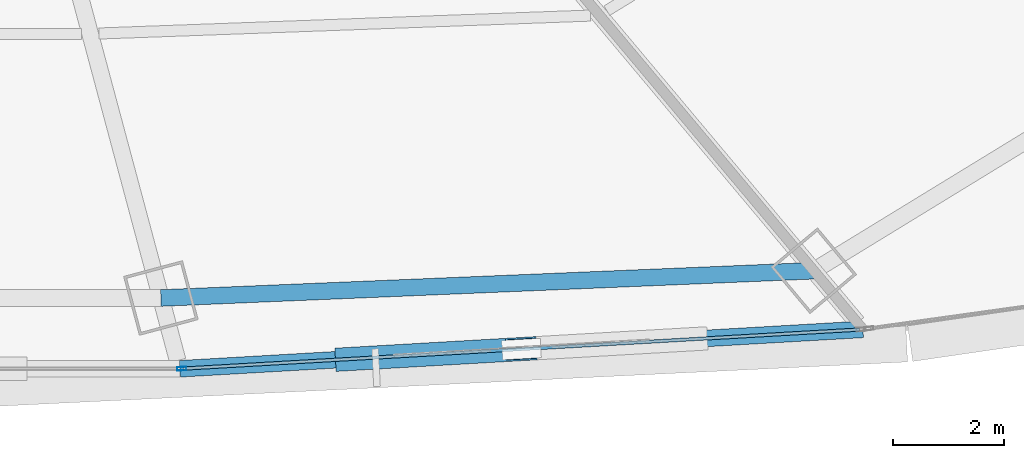
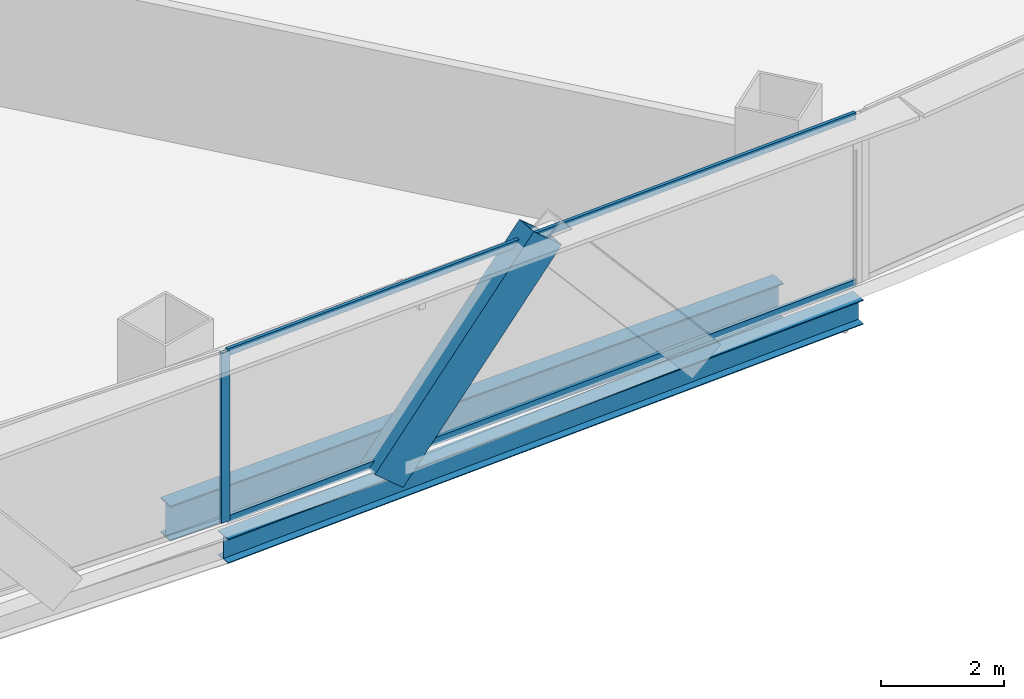
# One storey, part 10 of 37: 4 members, 2 beams, 1 element without a shape of its own.
"""IFC4 building model written with IfcOpenShell, lengths in metres."""

import ifcopenshell
import ifcopenshell.guid

model = None  # the IFC model being written
_history = None  # IfcOwnerHistory: only IFC2X3 demands one
_inside = {}  # id of a spatial element -> (the spatial element, [elements in it])
_under = {}  # id of a project, library or spatial element -> (it, [spatial elements below it])
_declared = {}  # id of a project -> (the project, [libraries it declares])
_typed = {}  # id of a type object -> (the type object, [elements of that type])
_made_of = {}  # id of a material, layer set ... -> (it, [elements and type objects made of it])


def new_model(schema):
    """Start an empty IFC model of exactly this schema.

    Asked for "IFC4X3", IfcOpenShell would pick the latest addendum, in which some entities
    have other attributes; the version numbers below select the first issue.
    IFC2X3 requires an IfcOwnerHistory on every rooted entity: one is made here for all.
    """
    global model, _history
    if schema == "IFC4X3":
        model = ifcopenshell.file(schema_version=(4, 3, 0, 0))
    else:
        model = ifcopenshell.file(schema=schema)
    _inside.clear()
    _under.clear()
    _declared.clear()
    _typed.clear()
    _made_of.clear()
    _history = None
    if model.schema == "IFC2X3":
        org = make("IfcOrganization", Name="unknown")
        user = make(
            "IfcPersonAndOrganization",
            ThePerson=make("IfcPerson", FamilyName="unknown"),
            TheOrganization=org,
        )
        app = make(
            "IfcApplication",
            ApplicationDeveloper=org,
            Version="unknown",
            ApplicationFullName="unknown",
            ApplicationIdentifier="unknown",
        )
        _history = make(
            "IfcOwnerHistory",
            OwningUser=user,
            OwningApplication=app,
            ChangeAction="ADDED",
            CreationDate=0,
        )
    return model


def make(cls, **values):
    """One entity of the class cls with the attributes given. An attribute that is None is left unset."""
    return model.create_entity(
        cls, **{name: value for name, value in values.items() if value is not None}
    )


def rooted(cls, **values):
    """An entity with a GlobalId (a new one), such as an element, a storey or a relation."""
    return make(cls, GlobalId=ifcopenshell.guid.new(), OwnerHistory=_history, **values)


def si_unit(unit_type, name, prefix=None):
    """IfcSIUnit, for example si_unit("LENGTHUNIT", "METRE", prefix="MILLI")."""
    return make("IfcSIUnit", UnitType=unit_type, Prefix=prefix, Name=name)


def assignment(units):
    """IfcUnitAssignment: the units of a project."""
    return None if units is None else make("IfcUnitAssignment", Units=units)


def point(xyz):
    """IfcCartesianPoint."""
    return None if xyz is None else make("IfcCartesianPoint", Coordinates=xyz)


def direction(xyz):
    """IfcDirection."""
    return None if xyz is None else make("IfcDirection", DirectionRatios=xyz)


def frame(location, z_axis=None, x_axis=None):
    """IfcAxis2Placement3D, a coordinate frame: its origin and axes. An axis left out is left unset."""
    return make(
        "IfcAxis2Placement3D",
        Location=point(location),
        Axis=direction(z_axis),
        RefDirection=direction(x_axis),
    )


def frame_2d(location, x_axis=None):
    """IfcAxis2Placement2D, a coordinate frame in the plane: its origin and x axis."""
    return make(
        "IfcAxis2Placement2D", Location=point(location), RefDirection=direction(x_axis)
    )


def origin():
    """The frame at (0, 0, 0) with its axes left unset."""
    return frame((0.0, 0.0, 0.0))


def origin_2d():
    """The frame at (0, 0) in the plane with its x axis left unset."""
    return frame_2d((0.0, 0.0))


def place(relative_to, where):
    """IfcLocalPlacement: puts the frame where relative to a parent placement (None: the world)."""
    return make(
        "IfcLocalPlacement", PlacementRelTo=relative_to, RelativePlacement=where
    )


def context(
    kind, dimensions, precision=None, world=None, true_north=None, identifier=None
):
    """IfcGeometricRepresentationContext, for example the 3D "Model" context."""
    return make(
        "IfcGeometricRepresentationContext",
        ContextIdentifier=identifier,
        ContextType=kind,
        CoordinateSpaceDimension=dimensions,
        Precision=precision,
        WorldCoordinateSystem=world,
        TrueNorth=true_north,
    )


def subcontext(parent, identifier, kind, view, scale=None):
    """IfcGeometricRepresentationSubContext, for example "Body" below "Model"."""
    return make(
        "IfcGeometricRepresentationSubContext",
        ContextIdentifier=identifier,
        ContextType=kind,
        ParentContext=parent,
        TargetScale=scale,
        TargetView=view,
    )


def project(units=None, contexts=None):
    """IfcProject with its units and contexts."""
    return rooted(
        "IfcProject",
        Name="project",
        RepresentationContexts=contexts,
        UnitsInContext=assignment(units),
    )


def spatial(cls, under=None, at=None, **own):
    """A site, building, storey or space (cls), placed at a placement, below another one or the project."""
    s = rooted(cls, ObjectPlacement=at, **own)
    if under is not None:
        _under.setdefault(under.id(), (under, []))[1].append(s)
    return s


def profile(cls, at=None, kind="AREA", **sizes):
    """A parametric profile (cls). Its sizes go by their IFC names, for example OverallWidth=200.0."""
    return make(cls, ProfileType=kind, Position=at, **sizes)


def hollow_rectangle(**sizes):
    """IfcRectangleHollowProfileDef."""
    return profile("IfcRectangleHollowProfileDef", **sizes)


def i_section(**sizes):
    """IfcIShapeProfileDef."""
    return profile("IfcIShapeProfileDef", **sizes)


def extrude(swept, where, along, depth):
    """IfcExtrudedAreaSolid: the profile swept, set in the frame where, extruded along a direction by depth."""
    return make(
        "IfcExtrudedAreaSolid",
        SweptArea=swept,
        Position=where,
        ExtrudedDirection=direction(along),
        Depth=depth,
    )


def shape(context_of_items, identifier, shape_type, items):
    """IfcShapeRepresentation: the items that make up one representation, for example the "Body"."""
    return make(
        "IfcShapeRepresentation",
        ContextOfItems=context_of_items,
        RepresentationIdentifier=identifier,
        RepresentationType=shape_type,
        Items=items,
    )


def source(mapping_origin, context_of_items, identifier, shape_type, items):
    """IfcRepresentationMap: a shape defined once, which mapped items show again and again."""
    return make(
        "IfcRepresentationMap",
        MappingOrigin=mapping_origin,
        MappedRepresentation=shape(context_of_items, identifier, shape_type, items),
    )


def transform(
    local_origin,
    x_axis=None,
    y_axis=None,
    z_axis=None,
    scale=None,
    scale2=None,
    scale3=None,
    uniform=True,
):
    """IfcCartesianTransformationOperator3D, or its non-uniform kind. x_axis, y_axis, z_axis: its Axis1, 2, 3."""
    if uniform:
        return make(
            "IfcCartesianTransformationOperator3D",
            Axis1=direction(x_axis),
            Axis2=direction(y_axis),
            LocalOrigin=point(local_origin),
            Scale=scale,
            Axis3=direction(z_axis),
        )
    return make(
        "IfcCartesianTransformationOperator3DnonUniform",
        Axis1=direction(x_axis),
        Axis2=direction(y_axis),
        LocalOrigin=point(local_origin),
        Scale=scale,
        Axis3=direction(z_axis),
        Scale2=scale2,
        Scale3=scale3,
    )


def mapped(mapping_source, mapping_target):
    """IfcMappedItem: shows the shape of a source again, moved by a transform."""
    return make(
        "IfcMappedItem", MappingSource=mapping_source, MappingTarget=mapping_target
    )


def material(Name=None, Category=None):
    """IfcMaterial."""
    return make("IfcMaterial", Name=Name, Category=Category)


def layer(
    of_material, thickness, ventilated=None, Name=None, Category=None, Priority=None
):
    """IfcMaterialLayer: one layer of a wall or slab, of a material (None: an air gap)."""
    return make(
        "IfcMaterialLayer",
        Material=of_material,
        LayerThickness=thickness,
        IsVentilated=ventilated,
        Name=Name,
        Category=Category,
        Priority=Priority,
    )


def layer_set(layers, Name=None):
    """IfcMaterialLayerSet."""
    return make("IfcMaterialLayerSet", MaterialLayers=layers, LayerSetName=Name)


def material_profile(
    of_material, cross_section, Name=None, Category=None, Priority=None
):
    """IfcMaterialProfile: a cross section and its material."""
    return make(
        "IfcMaterialProfile",
        Name=Name,
        Material=of_material,
        Profile=cross_section,
        Priority=Priority,
        Category=Category,
    )


def profile_set(profiles, Name=None, composite=None):
    """IfcMaterialProfileSet."""
    return make(
        "IfcMaterialProfileSet",
        Name=Name,
        MaterialProfiles=profiles,
        CompositeProfile=composite,
    )


def made_of(thing, what):
    """Note that an element or type object is made of a material, layer set ...; save() writes the relation."""
    if what is not None:
        _made_of.setdefault(what.id(), (what, []))[1].append(thing)
    return thing


def type_object(cls, material=None, **own):
    """A type object (cls), such as IfcWallType, which elements share."""
    return made_of(rooted(cls, **own), material)


def element(
    cls,
    number,
    at=None,
    inside=None,
    cuts=None,
    type_object=None,
    material=None,
    context=None,
    identifier="Body",
    shape_type=None,
    held_by="IfcProductDefinitionShape",
    body=None,
    shapes=None,
    **own,
):
    """One element of the class cls, such as IfcWall. Its Tag is "e" and its number.

    at: its placement. inside: the storey or other place that contains it. cuts: it is an
    opening in that element (IfcRelVoidsElement). A single representation is given by context,
    identifier, shape_type and body (its items); several are given by shapes. held_by: the class
    of the entity that holds the representations. save() writes the other relations.
    """
    e = rooted(cls, Tag="e%d" % number, ObjectPlacement=at, **own)
    if body is not None:
        shapes = [shape(context, identifier, shape_type, body)]
    if shapes is not None:
        e.Representation = make(held_by, Representations=shapes)
    if inside is not None:
        _inside.setdefault(inside.id(), (inside, []))[1].append(e)
    if cuts is not None:
        rooted(
            "IfcRelVoidsElement", RelatingBuildingElement=cuts, RelatedOpeningElement=e
        )
    if type_object is not None:
        _typed.setdefault(type_object.id(), (type_object, []))[1].append(e)
    return made_of(e, material)


def aggregate(whole, parts):
    """IfcRelAggregates: a whole, such as a stair, and the parts it consists of."""
    return rooted("IfcRelAggregates", RelatingObject=whole, RelatedObjects=parts)


def save(model, path):
    """Write the relations noted so far, then the file.

    IfcRelAggregates (storeys below a building ...), IfcRelContainedInSpatialStructure (elements
    in a storey), IfcRelDefinesByType, IfcRelAssociatesMaterial and IfcRelDeclares: one each for
    every whole, place, type object, material and project.
    """
    for whole, parts in _under.values():
        aggregate(whole, parts)
    for where, things in _inside.values():
        rooted(
            "IfcRelContainedInSpatialStructure",
            RelatedElements=things,
            RelatingStructure=where,
        )
    for kind, things in _typed.values():
        rooted("IfcRelDefinesByType", RelatedObjects=things, RelatingType=kind)
    for what, things in _made_of.values():
        rooted("IfcRelAssociatesMaterial", RelatedObjects=things, RelatingMaterial=what)
    for by, libraries in _declared.values():
        rooted("IfcRelDeclares", RelatingContext=by, RelatedDefinitions=libraries)
    model.write(path)


model = new_model("IFC4")

# Units and contexts
model_context = context("Model", 3, precision=1e-05, world=origin(), true_north=direction((0.0, 1.0)))
body_context = subcontext(model_context, "Body", "Model", "MODEL_VIEW")
ifc_project = project(units=[si_unit("LENGTHUNIT", "METRE"), si_unit("AREAUNIT", "SQUARE_METRE"), si_unit("VOLUMEUNIT", "CUBIC_METRE"), si_unit("PLANEANGLEUNIT", "RADIAN"), si_unit("MASSUNIT", "GRAM", prefix="KILO"), si_unit("THERMODYNAMICTEMPERATUREUNIT", "KELVIN"), si_unit("POWERUNIT", "WATT")], contexts=[model_context])

# Site, building, storey
site_placement = place(None, origin())
site = spatial("IfcSite", under=ifc_project, at=site_placement, CompositionType="ELEMENT")
building_placement = place(site_placement, origin())
building = spatial("IfcBuilding", under=site, at=building_placement, Name="Yunzhuo Pagoda Commons", CompositionType="ELEMENT")
storey_placement = place(building_placement, frame((0.0, 0.0, 52.179931640625)))
storey = spatial("IfcBuildingStorey", under=building, at=storey_placement, Name="L13", CompositionType="ELEMENT", Elevation=52.179931640625)

# Beams
ifc_material_1 = material(Name="Structural steel Q355B", Category="steel")
ifc_material_profile_1 = material_profile(ifc_material_1, i_section(OverallWidth=0.300048828125, OverallDepth=0.699951171875, WebThickness=0.012939453125, FlangeThickness=0.02392578125, at=origin_2d()), Name="Structural steel Q355B")
ifc_profile_set_1 = profile_set([ifc_material_profile_1], Name="Structural steel Q355B")
beam_type_1 = type_object("IfcBeamType", Name="B-RG1 Beam HN 700x300x13x24", PredefinedType="BEAM", material=ifc_profile_set_1)
shared_shape_1 = source(origin(), body_context, "Body", "SweptSolid", [
    extrude(i_section(OverallWidth=0.300048828125, OverallDepth=0.699951171875, WebThickness=0.012939453125, FlangeThickness=0.02392578125, at=origin_2d()), origin(), (0.0, 0.0, 1.0), 11.7900390625),
])
beam_1_placement = place(storey_placement, frame((53.72021484375, 12.35205078125, -0.60986328125), z_axis=(0.99912739354, 0.041766631146, 0.0), x_axis=(-0.041766631146, 0.99912739354, 0.0)))
element("IfcBeam", 1, at=beam_1_placement, inside=storey, type_object=beam_type_1, Name="L13 column-ring beam 3", PredefinedType="BEAM", context=body_context, shape_type="MappedRepresentation", body=[
    mapped(shared_shape_1, transform((0.0, 0.0, 0.0), scale=1.0)),
])
ifc_material_profile_2 = material_profile(ifc_material_1, i_section(OverallWidth=0.300048828125, OverallDepth=0.488037109375, WebThickness=0.010986328125, FlangeThickness=0.01806640625, at=origin_2d()), Name="Structural steel Q355B")
ifc_profile_set_2 = profile_set([ifc_material_profile_2], Name="Structural steel Q355B")
beam_type_2 = type_object("IfcBeamType", Name="B-SP1 Beam HM 488x300x11x18", PredefinedType="BEAM", material=ifc_profile_set_2)
shared_shape_2 = source(origin(), body_context, "Body", "SweptSolid", [
    extrude(i_section(OverallWidth=0.300048828125, OverallDepth=0.488037109375, WebThickness=0.010986328125, FlangeThickness=0.01806640625, at=origin_2d()), origin(), (0.0, 0.0, 1.0), 12.345703125),
])
beam_2_placement = place(storey_placement, frame((54.0625, 11.07470703125, -0.50390625), z_axis=(0.998336003237, 0.057664760824, 0.0), x_axis=(-0.057664760824, 0.998336003237, 0.0)))
element("IfcBeam", 2, at=beam_2_placement, inside=storey, type_object=beam_type_2, Name="L13 facade edge spandrel beam F1.3", PredefinedType="BEAM", context=body_context, shape_type="MappedRepresentation", body=[
    mapped(shared_shape_2, transform((0.0, 0.0, 0.0), scale=1.0)),
])

# Member
ifc_material_2 = material(Name="Structural steel Q420B", Category="steel")
ifc_material_profile_3 = material_profile(ifc_material_2, hollow_rectangle(XDim=0.419921875, YDim=0.719970703125, WallThickness=0.028076171875, at=origin_2d()), Name="Structural steel Q420B")
ifc_profile_set_3 = profile_set([ifc_material_profile_3], Name="Structural steel Q420B")
member_type_1 = type_object("IfcMemberType", Name="M-DL1 Brace BOX 720x420x28", PredefinedType="BRACE", material=ifc_profile_set_3)
shared_shape_3 = source(origin(), body_context, "Body", "SweptSolid", [
    extrude(hollow_rectangle(XDim=0.419921875, YDim=0.719970703125, WallThickness=0.028076171875, at=origin_2d()), origin(), (0.0, 0.0, 1.0), 4.764892578125),
])
member_1_placement = place(storey_placement, frame((57.143798828125, 11.2529296875, -0.260009765625), z_axis=(0.646672528311, 0.037301133081, 0.761855148043), x_axis=(-0.057585922133, 0.998340553905, 0.0)))
element("IfcMember", 3, at=member_1_placement, inside=storey, type_object=member_type_1, Name="L13 facade diamond brace F1.3L", PredefinedType="BRACE", context=body_context, shape_type="MappedRepresentation", body=[
    mapped(shared_shape_3, transform((0.0, 0.0, 0.0), scale=1.0)),
])

# Curtain wall, members
ifc_material_3 = material(Name="Anodized aluminium 6063-T6", Category="aluminium")
ifc_layer = layer(ifc_material_3, 0.1650390625)
ifc_layer_set = layer_set([ifc_layer], Name="Anodized aluminium 6063-T6")
curtain_wall_type = type_object("IfcCurtainWallType", Name="CW-LOW Low-Zone Ribbon Curtain Wall", PredefinedType="NOTDEFINED", material=ifc_layer_set)
curtain_wall_placement = place(storey_placement, origin())
curtain_wall = element("IfcCurtainWall", 4, at=curtain_wall_placement, inside=storey, type_object=curtain_wall_type, Name="L13 curtain wall CW-L13-F1B4", PredefinedType="NOTDEFINED")
ifc_material_profile_4 = material_profile(ifc_material_3, hollow_rectangle(XDim=0.06494140625, YDim=0.1650390625, WallThickness=0.00390625, at=origin_2d()), Name="Anodized aluminium 6063-T6")
ifc_profile_set_4 = profile_set([ifc_material_profile_4], Name="Anodized aluminium 6063-T6")
member_type_2 = type_object("IfcMemberType", Name="CW-LOW-M Mullion RHS 165x65x4", PredefinedType="MULLION", material=ifc_profile_set_4)
shared_shape_4 = source(origin(), body_context, "Body", "SweptSolid", [
    extrude(hollow_rectangle(XDim=0.06494140625, YDim=0.1650390625, WallThickness=0.00390625, at=origin_2d()), origin(), (0.0, 0.0, 1.0), 3.3701171875),
])
member_2_placement = place(storey_placement, frame((54.094970703125, 11.076416015625, 0.0), z_axis=(0.0, 0.0, 1.0), x_axis=(-0.057664069997, 0.998336043139, 0.0)))
member_2 = element("IfcMember", 5, at=member_2_placement, type_object=member_type_2, Name="CW mullion 1", PredefinedType="MULLION", context=body_context, shape_type="MappedRepresentation", body=[
    mapped(shared_shape_4, transform((0.0, 0.0, 0.0), scale=1.0)),
])
ifc_material_profile_5 = material_profile(ifc_material_3, hollow_rectangle(XDim=0.06005859375, YDim=0.139892578125, WallThickness=0.00341796875, at=origin_2d()), Name="Anodized aluminium 6063-T6")
ifc_profile_set_5 = profile_set([ifc_material_profile_5], Name="Anodized aluminium 6063-T6")
member_type_3 = type_object("IfcMemberType", Name="CW-LOW-T Transom RHS 140x60x3.5", PredefinedType="USERDEFINED", material=ifc_profile_set_5)
shared_shape_5 = source(origin(), body_context, "Body", "SweptSolid", [
    extrude(hollow_rectangle(XDim=0.06005859375, YDim=0.139892578125, WallThickness=0.00341796875, at=origin_2d()), origin(), (0.0, 0.0, 1.0), 12.215576171875),
])
member_3_placement = place(storey_placement, frame((54.12744140625, 11.078369140625, 0.030029296875), z_axis=(0.998336315272, 0.057659358375, 0.0), x_axis=(-0.057659358375, 0.998336315272, 0.0)))
member_3 = element("IfcMember", 6, at=member_3_placement, type_object=member_type_3, Name="CW transom 1.1", ObjectType="TRANSOM", PredefinedType="USERDEFINED", context=body_context, shape_type="MappedRepresentation", body=[
    mapped(shared_shape_5, transform((0.0, 0.0, 0.0), scale=1.0)),
])
member_4_placement = place(storey_placement, frame((54.12744140625, 11.078369140625, 3.34033203125), z_axis=(0.998336315272, 0.057659358375, 0.0), x_axis=(-0.057659358375, 0.998336315272, 0.0)))
member_4 = element("IfcMember", 7, at=member_4_placement, type_object=member_type_3, Name="CW transom 1.2", ObjectType="TRANSOM", PredefinedType="USERDEFINED", context=body_context, shape_type="MappedRepresentation", body=[
    mapped(shared_shape_5, transform((0.0, 0.0, 0.0), scale=1.0)),
])
aggregate(curtain_wall, [member_2, member_3, member_4])

save(model, "model.ifc")
